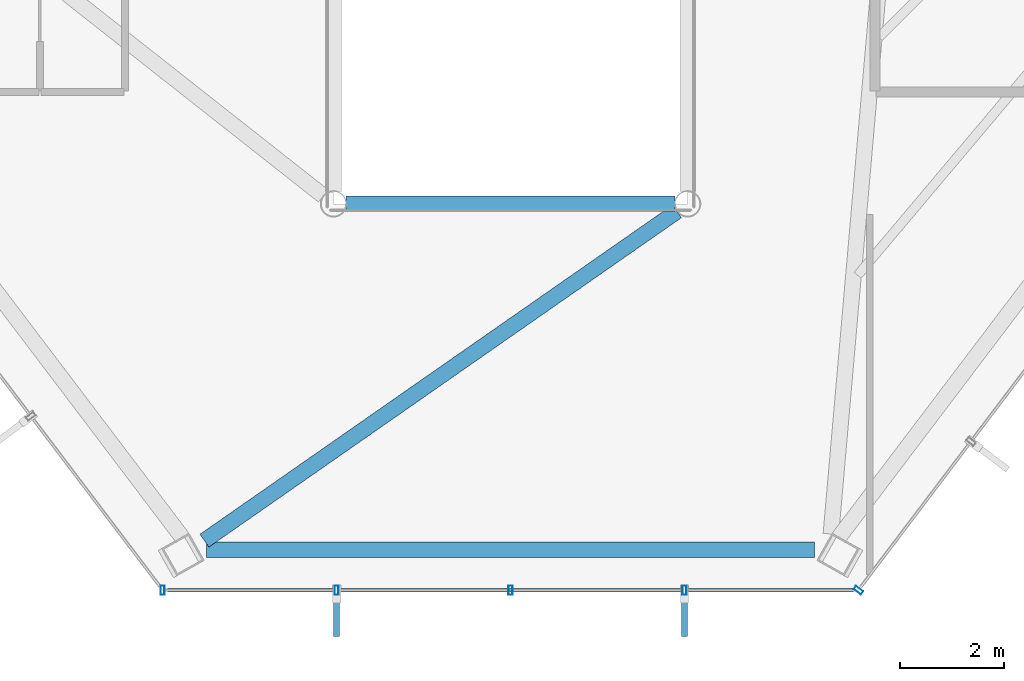
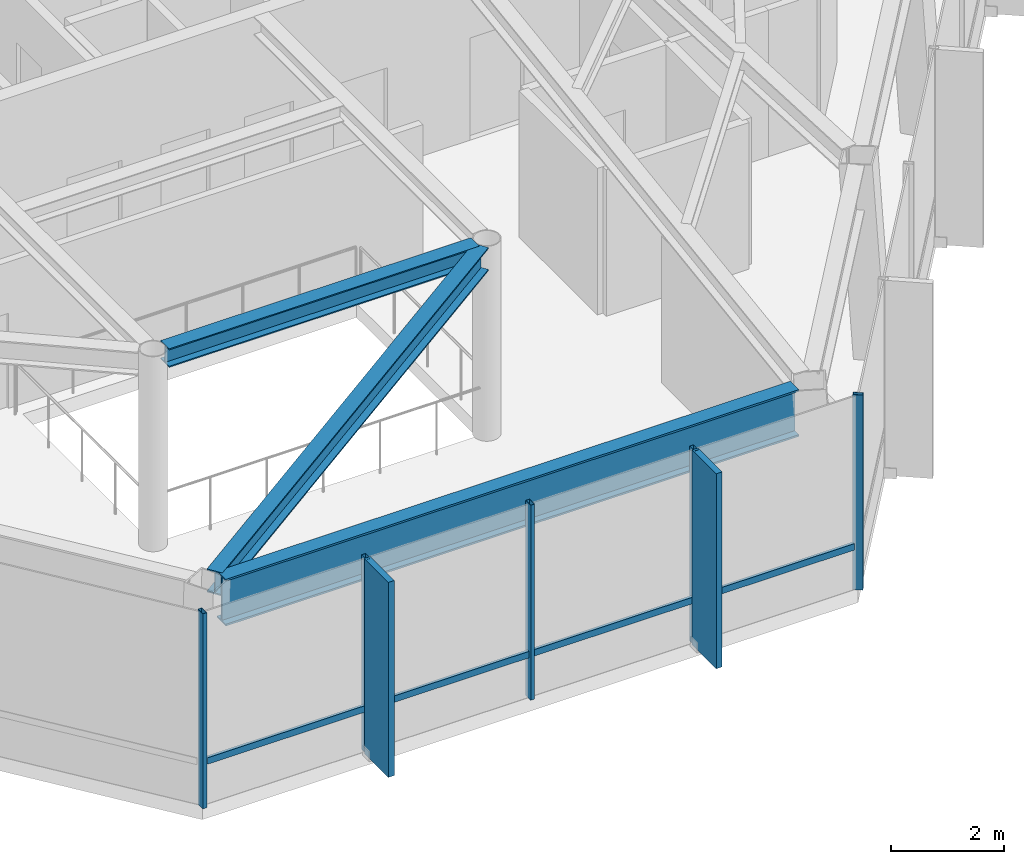
# One storey, part 5 of 22: 8 members, 3 beams, 2 elements without a shape of their own.
"""IFC4 building model written with IfcOpenShell, lengths in metres."""

from ifc_helpers import new_model, si_unit, direction, frame, origin, origin_2d, place, context, subcontext, project, spatial, rectangle, hollow_rectangle, i_section, extrude, material, layer, layer_set, material_profile, profile_set, type_object, element, aggregate, save


model = new_model("IFC4")

# Units and contexts
model_context = context("Model", 3, precision=1e-05, world=origin(), true_north=direction((0.0, 1.0)))
body_context = subcontext(model_context, "Body", "Model", "MODEL_VIEW")
ifc_project = project(units=[si_unit("LENGTHUNIT", "METRE"), si_unit("AREAUNIT", "SQUARE_METRE"), si_unit("VOLUMEUNIT", "CUBIC_METRE"), si_unit("PLANEANGLEUNIT", "RADIAN"), si_unit("MASSUNIT", "GRAM", prefix="KILO")], contexts=[model_context])

# Site, building, storey
site_placement = place(None, origin())
site = spatial("IfcSite", under=ifc_project, at=site_placement, CompositionType="ELEMENT")
building_placement = place(site_placement, origin())
building = spatial("IfcBuilding", under=site, at=building_placement, Name="Zarrinselat Tower", CompositionType="ELEMENT")
storey_placement = place(building_placement, frame((0.0, 0.0, 204.340087890625)))
storey = spatial("IfcBuildingStorey", under=building, at=storey_placement, Name="L50", CompositionType="ELEMENT", Elevation=204.340087890625)

# Beams
ifc_material_1 = material(Name="Steel S355J2", Category="steel")
ifc_material_profile_1 = material_profile(ifc_material_1, i_section(OverallWidth=0.300048828125, OverallDepth=0.39990234375, WebThickness=0.013427734375, FlangeThickness=0.02392578125, at=origin_2d()), Name="HEB 400")
ifc_profile_set_1 = profile_set([ifc_material_profile_1], Name="Steel S355J2")
beam_type_1 = type_object("IfcBeamType", Name="BM-HEB400", PredefinedType="BEAM", material=ifc_profile_set_1)
beam_1_placement = place(storey_placement, frame((35.239990234375, 25.199951171875, 4.0), z_axis=(1.0, 0.0, 0.0), x_axis=(0.0, 1.0, 0.0)))
element("IfcBeam", 1, at=beam_1_placement, inside=storey, type_object=beam_type_1, Name="L50 Atrium Edge Beam S", PredefinedType="BEAM", context=body_context, shape_type="SweptSolid", body=[
    extrude(i_section(OverallWidth=0.300048828125, OverallDepth=0.39990234375, WebThickness=0.013427734375, FlangeThickness=0.02392578125, at=origin_2d()), origin(), (0.0, 0.0, 1.0), 6.320068359375),
])
ifc_material_2 = material(Name="Steel S355J2", Category="steel")
ifc_material_profile_2 = material_profile(ifc_material_2, i_section(OverallWidth=0.300048828125, OverallDepth=0.5, WebThickness=0.014404296875, FlangeThickness=0.028076171875, at=origin_2d()), Name="HEB 500")
ifc_profile_set_2 = profile_set([ifc_material_profile_2], Name="Steel S355J2")
beam_type_2 = type_object("IfcBeamType", Name="BM-HEB500", PredefinedType="BEAM", material=ifc_profile_set_2)
beam_2_placement = place(storey_placement, frame((32.521728515625, 18.733154296875, 3.949951171875), z_axis=(0.820400049564, 0.571789960279, 0.0), x_axis=(-0.571789960279, 0.820400049564, 0.0)))
element("IfcBeam", 2, at=beam_2_placement, inside=storey, type_object=beam_type_2, Name="L50 Radial Primary Girder RG10", PredefinedType="BEAM", context=body_context, shape_type="SweptSolid", body=[
    extrude(i_section(OverallWidth=0.300048828125, OverallDepth=0.5, WebThickness=0.014404296875, FlangeThickness=0.028076171875, at=origin_2d()), origin(), (0.0, 0.0, 1.0), 11.0595703125),
])
ifc_material_3 = material(Name="Steel S460M", Category="steel")
ifc_material_profile_3 = material_profile(ifc_material_3, i_section(OverallWidth=0.302001953125, OverallDepth=1.008056640625, WebThickness=0.02099609375, FlangeThickness=0.0400390625, at=origin_2d()), Name="HEM 1000")
ifc_profile_set_3 = profile_set([ifc_material_profile_3], Name="Steel S460M")
beam_type_3 = type_object("IfcBeamType", Name="BM-HEM1000", PredefinedType="BEAM", material=ifc_profile_set_3)
beam_3_placement = place(storey_placement, frame((32.56201171875, 18.560546875, 3.69580078125), z_axis=(1.0, 0.0, 0.0), x_axis=(0.0, 1.0, 0.0)))
element("IfcBeam", 3, at=beam_3_placement, inside=storey, type_object=beam_type_3, Name="L50 Perimeter Spandrel Girder SP10", PredefinedType="BEAM", context=body_context, shape_type="SweptSolid", body=[
    extrude(i_section(OverallWidth=0.302001953125, OverallDepth=1.008056640625, WebThickness=0.02099609375, FlangeThickness=0.0400390625, at=origin_2d()), origin(), (0.0, 0.0, 1.0), 11.676025390625),
])

# Curtain wall, member
ifc_material_4 = material(Name="Extruded Aluminium Alloy EN AW-6063 T6", Category="aluminium")
ifc_layer = layer(ifc_material_4, 0.195068359375)
ifc_layer_set = layer_set([ifc_layer], Name="Extruded Aluminium Alloy EN AW-6063 T6")
curtain_wall_type = type_object("IfcCurtainWallType", Name="CWS-GDN", PredefinedType="NOTDEFINED", material=ifc_layer_set)
curtain_wall_1_placement = place(storey_placement, origin())
curtain_wall_1 = element("IfcCurtainWall", 4, at=curtain_wall_1_placement, inside=storey, type_object=curtain_wall_type, Name="L50 Unitised Curtain Wall CW-L50-E04", PredefinedType="NOTDEFINED")
ifc_material_5 = material(Name="Extruded Aluminium Alloy EN AW-6063 T6", Category="aluminium")
ifc_material_profile_4 = material_profile(ifc_material_5, hollow_rectangle(XDim=0.080078125, YDim=0.179931640625, WallThickness=0.0048828125, at=origin_2d()), Name="RHS 180x80x5")
ifc_profile_set_4 = profile_set([ifc_material_profile_4], Name="Extruded Aluminium Alloy EN AW-6063 T6")
member_type_1 = type_object("IfcMemberType", Name="MEM-CW-MUL", PredefinedType="MULLION", material=ifc_profile_set_4)
member_1_placement = place(storey_placement, frame((45.08056640625, 17.78076171875, 0.0), z_axis=(0.0, 0.0, 1.0), x_axis=(-0.603858158606, -0.79709179163, 0.0)))
member_1 = element("IfcMember", 5, at=member_1_placement, type_object=member_type_1, Name="CW-L50-E04 Mullion 8", PredefinedType="MULLION", context=body_context, shape_type="SweptSolid", body=[
    extrude(hollow_rectangle(XDim=0.080078125, YDim=0.179931640625, WallThickness=0.0048828125, at=origin_2d()), origin(), (0.0, 0.0, 1.0), 4.199951171875),
])
aggregate(curtain_wall_1, [member_1])

# Curtain wall, members
curtain_wall_2_placement = place(storey_placement, origin())
curtain_wall_2 = element("IfcCurtainWall", 6, at=curtain_wall_2_placement, inside=storey, type_object=curtain_wall_type, Name="L50 Unitised Curtain Wall CW-L50-E05", PredefinedType="NOTDEFINED")
member_2_placement = place(storey_placement, frame((41.740234375, 17.78076171875, 0.0), z_axis=(0.0, 0.0, 1.0), x_axis=(-1.0, 0.0, 0.0)))
member_2 = element("IfcMember", 7, at=member_2_placement, type_object=member_type_1, Name="CW-L50-E05 Mullion 1", PredefinedType="MULLION", context=body_context, shape_type="SweptSolid", body=[
    extrude(hollow_rectangle(XDim=0.080078125, YDim=0.179931640625, WallThickness=0.0048828125, at=origin_2d()), origin(), (0.0, 0.0, 1.0), 4.199951171875),
])
member_3_placement = place(storey_placement, frame((38.39990234375, 17.78076171875, 0.0), z_axis=(0.0, 0.0, 1.0), x_axis=(-1.0, 0.0, 0.0)))
member_3 = element("IfcMember", 8, at=member_3_placement, type_object=member_type_1, Name="CW-L50-E05 Mullion 2", PredefinedType="MULLION", context=body_context, shape_type="SweptSolid", body=[
    extrude(hollow_rectangle(XDim=0.080078125, YDim=0.179931640625, WallThickness=0.0048828125, at=origin_2d()), origin(), (0.0, 0.0, 1.0), 4.199951171875),
])
member_4_placement = place(storey_placement, frame((35.059814453125, 17.78076171875, 0.0), z_axis=(0.0, 0.0, 1.0), x_axis=(-1.0, 0.0, 0.0)))
member_4 = element("IfcMember", 9, at=member_4_placement, type_object=member_type_1, Name="CW-L50-E05 Mullion 3", PredefinedType="MULLION", context=body_context, shape_type="SweptSolid", body=[
    extrude(hollow_rectangle(XDim=0.080078125, YDim=0.179931640625, WallThickness=0.0048828125, at=origin_2d()), origin(), (0.0, 0.0, 1.0), 4.199951171875),
])
member_5_placement = place(storey_placement, frame((31.719482421875, 17.78076171875, 0.0), z_axis=(0.0, 0.0, 1.0), x_axis=(-1.0, 0.0, 0.0)))
member_5 = element("IfcMember", 10, at=member_5_placement, type_object=member_type_1, Name="CW-L50-E05 Mullion 4", PredefinedType="MULLION", context=body_context, shape_type="SweptSolid", body=[
    extrude(hollow_rectangle(XDim=0.080078125, YDim=0.179931640625, WallThickness=0.0048828125, at=origin_2d()), origin(), (0.0, 0.0, 1.0), 4.199951171875),
])
ifc_material_6 = material(Name="Extruded Aluminium Alloy EN AW-6063 T6", Category="aluminium")
ifc_material_profile_5 = material_profile(ifc_material_6, hollow_rectangle(XDim=0.06005859375, YDim=0.139892578125, WallThickness=0.00390625, at=origin_2d()), Name="RHS 140x60x4")
ifc_profile_set_5 = profile_set([ifc_material_profile_5], Name="Extruded Aluminium Alloy EN AW-6063 T6")
member_type_2 = type_object("IfcMemberType", Name="MEM-CW-TRN", PredefinedType="USERDEFINED", material=ifc_profile_set_5)
member_6_placement = place(storey_placement, frame((44.990478515625, 17.78076171875, 0.949951171875), z_axis=(-1.0, 0.0, 0.0), x_axis=(0.0, -1.0, 0.0)))
member_6 = element("IfcMember", 11, at=member_6_placement, type_object=member_type_2, Name="CW-L50-E05 Transom 1", ObjectType="TRANSOM", PredefinedType="USERDEFINED", context=body_context, shape_type="SweptSolid", body=[
    extrude(hollow_rectangle(XDim=0.06005859375, YDim=0.139892578125, WallThickness=0.00390625, at=origin_2d()), origin(), (0.0, 0.0, 1.0), 13.18115234375),
])
ifc_material_7 = material(Name="Honed Cream Travertine Stone", Category="masonry")
ifc_material_profile_6 = material_profile(ifc_material_7, rectangle(XDim=0.1201171875, YDim=0.85009765625, at=origin_2d()), Name="FIN 850x120")
ifc_profile_set_6 = profile_set([ifc_material_profile_6], Name="Honed Cream Travertine Stone")
member_type_3 = type_object("IfcMemberType", Name="MEM-STONE-FIN", PredefinedType="USERDEFINED", material=ifc_profile_set_6)
member_7_placement = place(storey_placement, frame((41.740234375, 17.32080078125, 0.0), z_axis=(0.0, 0.0, 1.0), x_axis=(-1.0, 0.0, 0.0)))
member_7 = element("IfcMember", 12, at=member_7_placement, type_object=member_type_3, Name="L50 Stone Shading Fin CW-L50-E05-01", ObjectType="FIN", PredefinedType="USERDEFINED", context=body_context, shape_type="SweptSolid", body=[
    extrude(rectangle(XDim=0.1201171875, YDim=0.85009765625, at=origin_2d()), origin(), (0.0, 0.0, 1.0), 4.199951171875),
])
member_8_placement = place(storey_placement, frame((35.059814453125, 17.32080078125, 0.0), z_axis=(0.0, 0.0, 1.0), x_axis=(-1.0, 0.0, 0.0)))
member_8 = element("IfcMember", 13, at=member_8_placement, type_object=member_type_3, Name="L50 Stone Shading Fin CW-L50-E05-03", ObjectType="FIN", PredefinedType="USERDEFINED", context=body_context, shape_type="SweptSolid", body=[
    extrude(rectangle(XDim=0.1201171875, YDim=0.85009765625, at=origin_2d()), origin(), (0.0, 0.0, 1.0), 4.199951171875),
])
aggregate(curtain_wall_2, [member_2, member_7, member_3, member_4, member_8, member_5, member_6])

save(model, "model.ifc")
